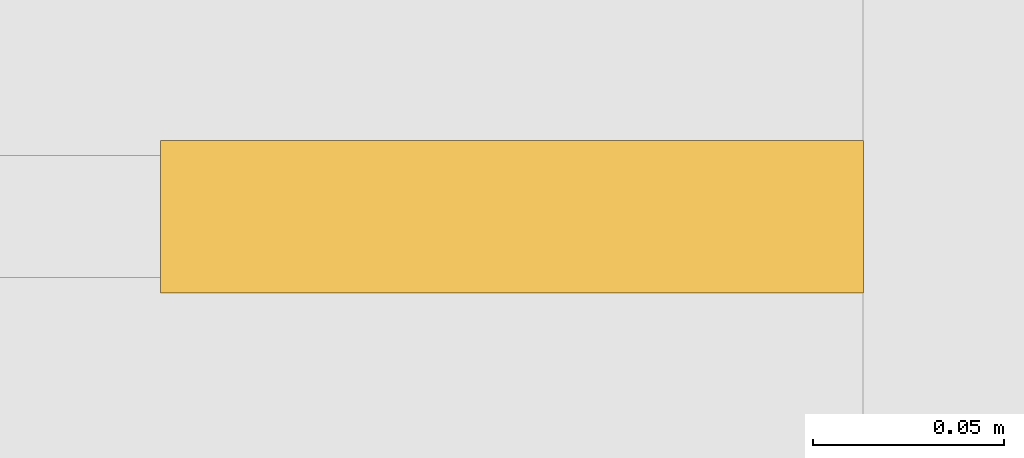
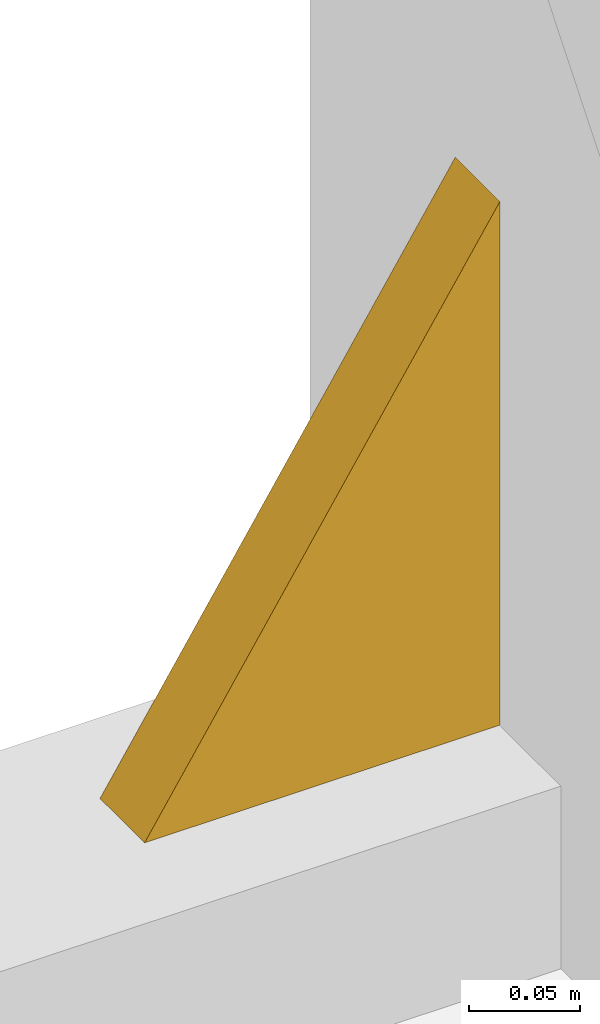
# One storey, part 14 of 15: 1 covering.
"""IFC4 building model written with IfcOpenShell, lengths in metres."""

from ifc_helpers import new_model, si_unit, direction, frame, origin, place, context, subcontext, project, spatial, polyline, outline, extrude, material, layer, layer_set, type_object, element, save


model = new_model("IFC4")

# Units and contexts
model_context = context("Model", 3, precision=1e-05, world=origin(), true_north=direction((0.0, 1.0)))
body_context = subcontext(model_context, "Body", "Model", "MODEL_VIEW")
ifc_project = project(units=[si_unit("LENGTHUNIT", "METRE"), si_unit("AREAUNIT", "SQUARE_METRE"), si_unit("VOLUMEUNIT", "CUBIC_METRE"), si_unit("PLANEANGLEUNIT", "RADIAN"), si_unit("MASSUNIT", "GRAM", prefix="KILO")], contexts=[model_context])

# Site, building, storey
site_placement = place(None, origin())
site = spatial("IfcSite", under=ifc_project, at=site_placement, CompositionType="ELEMENT")
building_placement = place(site_placement, origin())
building = spatial("IfcBuilding", under=site, at=building_placement, Name="Malebo Sky Hospital", CompositionType="ELEMENT")
storey_placement = place(building_placement, frame((0.0, 0.0, 217.0)))
storey = spatial("IfcBuildingStorey", under=building, at=storey_placement, Name="L52", CompositionType="ELEMENT", Elevation=217.0)

# Covering
ifc_material = material(Name="Anodised aluminium, natural silver insulated infill panel", Category="aluminium")
ifc_layer = layer(ifc_material, 0.0400390625)
ifc_layer_set = layer_set([ifc_layer], Name="BRACE INFILL PANEL 40")
covering_type = type_object("IfcCoveringType", Name="BRACE INFILL PANEL 40", PredefinedType="CLADDING", material=ifc_layer_set)
covering_placement = place(storey_placement, frame((43.070556640625, 84.574951171875, 0.10009765625), z_axis=(0.0, 0.0, 1.0), x_axis=(1.0, 0.0, 0.0)))
element("IfcCovering", 1, at=covering_placement, inside=storey, type_object=covering_type, Name="Brace infill panel 1.1", PredefinedType="CLADDING", context=body_context, shape_type="SweptSolid", body=[
    extrude(outline(polyline([(-0.092041015625, 0.0), (0.092041015625, 0.0), (0.092041015625, 0.286865234375), (-0.092041015625, 0.0)])), frame((0.0, 0.02001953125, 0.0), z_axis=(0.0, -1.0, 0.0), x_axis=(1.0, 0.0, 0.0)), (0.0, 0.0, 1.0), 0.0400390625),
])

save(model, "model.ifc")
